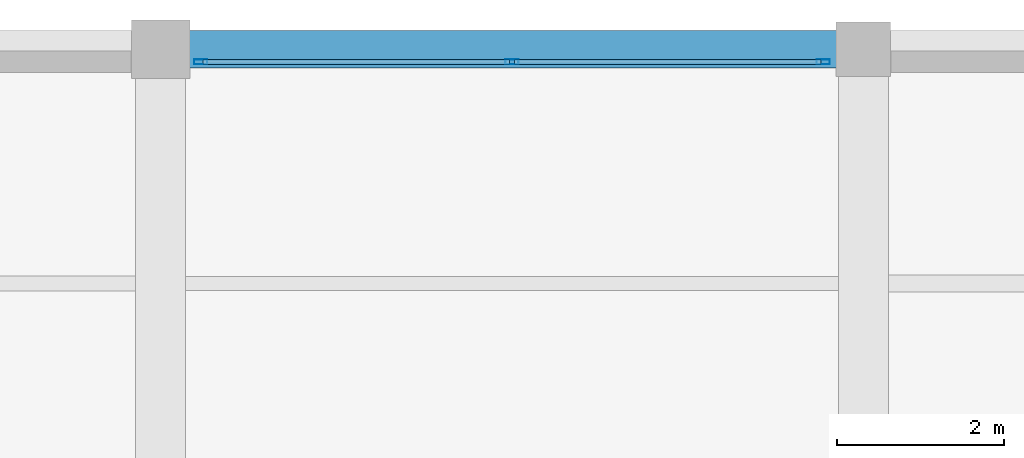
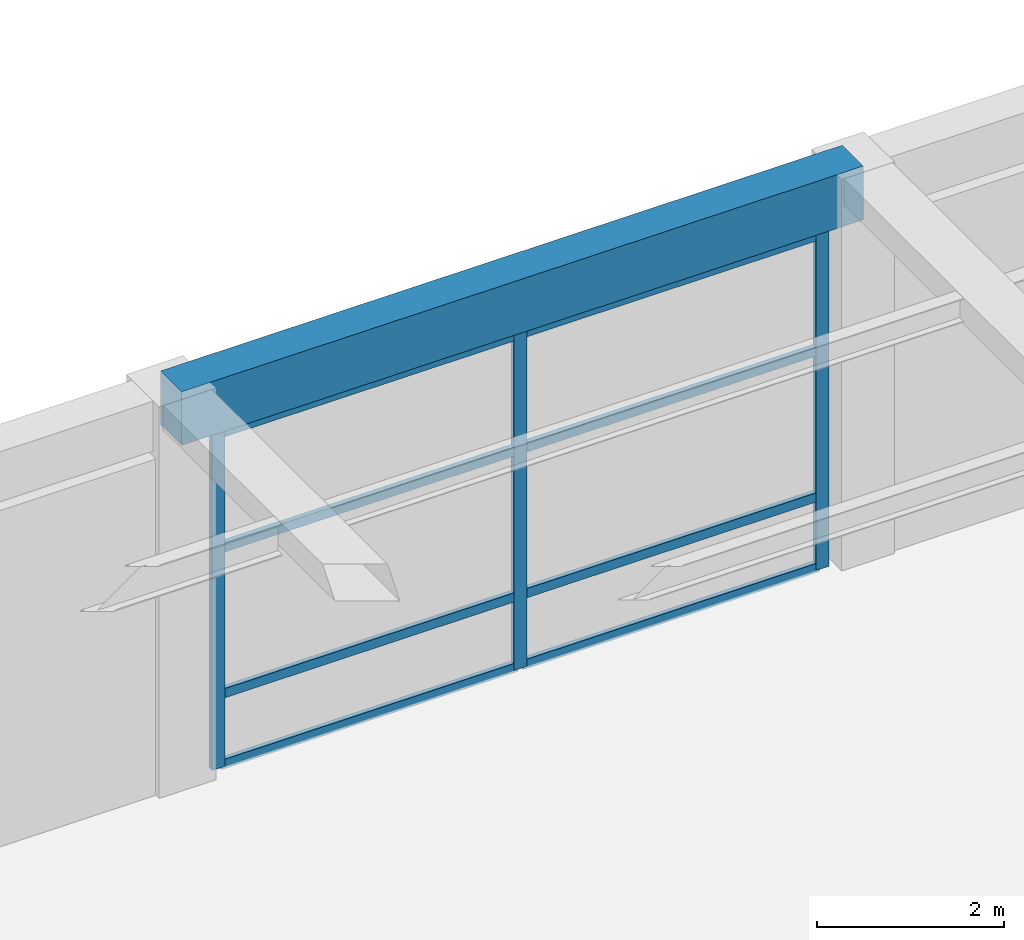
# One storey, part 39 of 95: 11 members, 1 beam, 1 element without a shape of its own.
"""IFC4 building model written with IfcOpenShell, lengths in metres."""

from ifc_helpers import new_model, si_unit, direction, frame, origin, origin_2d, place, context, subcontext, project, spatial, rectangle, hollow_rectangle, extrude, material, material_profile, profile_set, type_object, element, aggregate, save


model = new_model("IFC4")

# Units and contexts
model_context = context("Model", 3, precision=1e-05, world=origin(), true_north=direction((0.0, 1.0)))
body_context = subcontext(model_context, "Body", "Model", "MODEL_VIEW")
ifc_project = project(units=[si_unit("LENGTHUNIT", "METRE"), si_unit("AREAUNIT", "SQUARE_METRE"), si_unit("VOLUMEUNIT", "CUBIC_METRE"), si_unit("PLANEANGLEUNIT", "RADIAN"), si_unit("MASSUNIT", "GRAM", prefix="KILO")], contexts=[model_context])

# Site, building, storey
site_placement = place(None, origin())
site = spatial("IfcSite", under=ifc_project, at=site_placement, CompositionType="ELEMENT")
building_placement = place(site_placement, origin())
building = spatial("IfcBuilding", under=site, at=building_placement, Name="Almacenes y Pasaje Nevantli", CompositionType="ELEMENT")
storey_placement = place(building_placement, frame((0.0, 0.0, 11.39990234375)))
storey = spatial("IfcBuildingStorey", under=building, at=storey_placement, Name="L03", CompositionType="ELEMENT", Elevation=11.39990234375)

# Beam
ifc_material_1 = material(Name="Concrete C35/45", Category="concrete")
ifc_material_profile_1 = material_profile(ifc_material_1, rectangle(XDim=0.449951171875, YDim=0.699951171875, at=origin_2d()), Name="RC-BM-450x700")
ifc_profile_set_1 = profile_set([ifc_material_profile_1], Name="Concrete C35/45")
beam_type = type_object("IfcBeamType", Name="BM-RC-450x700", PredefinedType="SPANDREL", material=ifc_profile_set_1)
beam_placement = place(storey_placement, frame((33.60009765625, 117.60009765625, 4.75), z_axis=(1.0, 0.0, 0.0), x_axis=(0.0, 1.0, 0.0)))
element("IfcBeam", 1, at=beam_placement, inside=storey, type_object=beam_type, Name="L03 East-West Reinforced Concrete Beam #2464", PredefinedType="SPANDREL", context=body_context, shape_type="SweptSolid", body=[
    extrude(rectangle(XDim=0.449951171875, YDim=0.699951171875, at=origin_2d()), origin(), (0.0, 0.0, 1.0), 8.39990234375),
])

# Curtain wall, members
ifc_material_2 = material(Name="Thermally Broken Aluminium and Low-E Glass", Category="aluminium")
curtain_wall_type = type_object("IfcCurtainWallType", Name="CW-STF-BLVD", PredefinedType="USERDEFINED", material=ifc_material_2)
curtain_wall_placement = place(storey_placement, origin())
curtain_wall = element("IfcCurtainWall", 2, at=curtain_wall_placement, inside=storey, type_object=curtain_wall_type, Name="L03 North Boulevard Retail Curtain Wall Bay 5", ObjectType="STOREFRONT GLAZING", PredefinedType="USERDEFINED")
ifc_material_3 = material(Name="Thermally Broken Anodized Aluminium", Category="aluminium")
ifc_material_profile_2 = material_profile(ifc_material_3, hollow_rectangle(XDim=0.06005859375, YDim=0.159912109375, WallThickness=0.00390625, at=origin_2d()), Name="ALU-MUL-60x160")
ifc_profile_set_2 = profile_set([ifc_material_profile_2], Name="Thermally Broken Anodized Aluminium")
member_type_1 = type_object("IfcMemberType", Name="CW-MUL-180", PredefinedType="MULLION", material=ifc_profile_set_2)
member_1_placement = place(storey_placement, frame((34.080078125, 117.449951171875, 0.0), z_axis=(0.0, 0.0, 1.0), x_axis=(0.0, 1.0, 0.0)))
member_1 = element("IfcMember", 3, at=member_1_placement, type_object=member_type_1, Name="CW-L03-036 mullion 1", PredefinedType="MULLION", context=body_context, shape_type="SweptSolid", body=[
    extrude(hollow_rectangle(XDim=0.06005859375, YDim=0.159912109375, WallThickness=0.00390625, at=origin_2d()), origin(), (0.0, 0.0, 1.0), 4.380126953125),
])
member_2_placement = place(storey_placement, frame((37.800048828125, 117.449951171875, 0.0), z_axis=(0.0, 0.0, 1.0), x_axis=(0.0, 1.0, 0.0)))
member_2 = element("IfcMember", 4, at=member_2_placement, type_object=member_type_1, Name="CW-L03-036 mullion 2", PredefinedType="MULLION", context=body_context, shape_type="SweptSolid", body=[
    extrude(hollow_rectangle(XDim=0.06005859375, YDim=0.159912109375, WallThickness=0.00390625, at=origin_2d()), origin(), (0.0, 0.0, 1.0), 4.380126953125),
])
member_3_placement = place(storey_placement, frame((41.52001953125, 117.449951171875, 0.0), z_axis=(0.0, 0.0, 1.0), x_axis=(0.0, 1.0, 0.0)))
member_3 = element("IfcMember", 5, at=member_3_placement, type_object=member_type_1, Name="CW-L03-036 mullion 3", PredefinedType="MULLION", context=body_context, shape_type="SweptSolid", body=[
    extrude(hollow_rectangle(XDim=0.06005859375, YDim=0.159912109375, WallThickness=0.00390625, at=origin_2d()), origin(), (0.0, 0.0, 1.0), 4.380126953125),
])
ifc_material_4 = material(Name="Thermally Broken Anodized Aluminium", Category="aluminium")
ifc_material_profile_3 = material_profile(ifc_material_4, hollow_rectangle(XDim=0.06005859375, YDim=0.1201171875, WallThickness=0.00341796875, at=origin_2d()), Name="ALU-TRN-60x120")
ifc_profile_set_3 = profile_set([ifc_material_profile_3], Name="Thermally Broken Anodized Aluminium")
member_type_2 = type_object("IfcMemberType", Name="CW-TRN-130", PredefinedType="USERDEFINED", material=ifc_profile_set_3)
member_4_placement = place(storey_placement, frame((34.110107421875, 117.449951171875, 0.030029296875), z_axis=(1.0, 0.0, 0.0), x_axis=(0.0, 1.0, 0.0)))
member_4 = element("IfcMember", 6, at=member_4_placement, type_object=member_type_2, Name="CW-L03-036 transom 1.1", ObjectType="TRANSOM", PredefinedType="USERDEFINED", context=body_context, shape_type="SweptSolid", body=[
    extrude(hollow_rectangle(XDim=0.06005859375, YDim=0.1201171875, WallThickness=0.00341796875, at=origin_2d()), origin(), (0.0, 0.0, 1.0), 3.659912109375),
])
member_5_placement = place(storey_placement, frame((34.110107421875, 117.449951171875, 0.9501953125), z_axis=(1.0, 0.0, 0.0), x_axis=(0.0, 1.0, 0.0)))
member_5 = element("IfcMember", 7, at=member_5_placement, type_object=member_type_2, Name="CW-L03-036 transom 1.2", ObjectType="TRANSOM", PredefinedType="USERDEFINED", context=body_context, shape_type="SweptSolid", body=[
    extrude(hollow_rectangle(XDim=0.06005859375, YDim=0.1201171875, WallThickness=0.00341796875, at=origin_2d()), origin(), (0.0, 0.0, 1.0), 3.659912109375),
])
member_6_placement = place(storey_placement, frame((34.110107421875, 117.449951171875, 2.85009765625), z_axis=(1.0, 0.0, 0.0), x_axis=(0.0, 1.0, 0.0)))
member_6 = element("IfcMember", 8, at=member_6_placement, type_object=member_type_2, Name="CW-L03-036 transom 1.3", ObjectType="TRANSOM", PredefinedType="USERDEFINED", context=body_context, shape_type="SweptSolid", body=[
    extrude(hollow_rectangle(XDim=0.06005859375, YDim=0.1201171875, WallThickness=0.00341796875, at=origin_2d()), origin(), (0.0, 0.0, 1.0), 3.659912109375),
])
member_7_placement = place(storey_placement, frame((34.110107421875, 117.449951171875, 4.35009765625), z_axis=(1.0, 0.0, 0.0), x_axis=(0.0, 1.0, 0.0)))
member_7 = element("IfcMember", 9, at=member_7_placement, type_object=member_type_2, Name="CW-L03-036 transom 1.4", ObjectType="TRANSOM", PredefinedType="USERDEFINED", context=body_context, shape_type="SweptSolid", body=[
    extrude(hollow_rectangle(XDim=0.06005859375, YDim=0.1201171875, WallThickness=0.00341796875, at=origin_2d()), origin(), (0.0, 0.0, 1.0), 3.659912109375),
])
member_8_placement = place(storey_placement, frame((37.830078125, 117.449951171875, 0.030029296875), z_axis=(1.0, 0.0, 0.0), x_axis=(0.0, 1.0, 0.0)))
member_8 = element("IfcMember", 10, at=member_8_placement, type_object=member_type_2, Name="CW-L03-036 transom 2.1", ObjectType="TRANSOM", PredefinedType="USERDEFINED", context=body_context, shape_type="SweptSolid", body=[
    extrude(hollow_rectangle(XDim=0.06005859375, YDim=0.1201171875, WallThickness=0.00341796875, at=origin_2d()), origin(), (0.0, 0.0, 1.0), 3.659912109375),
])
member_9_placement = place(storey_placement, frame((37.830078125, 117.449951171875, 0.9501953125), z_axis=(1.0, 0.0, 0.0), x_axis=(0.0, 1.0, 0.0)))
member_9 = element("IfcMember", 11, at=member_9_placement, type_object=member_type_2, Name="CW-L03-036 transom 2.2", ObjectType="TRANSOM", PredefinedType="USERDEFINED", context=body_context, shape_type="SweptSolid", body=[
    extrude(hollow_rectangle(XDim=0.06005859375, YDim=0.1201171875, WallThickness=0.00341796875, at=origin_2d()), origin(), (0.0, 0.0, 1.0), 3.659912109375),
])
member_10_placement = place(storey_placement, frame((37.830078125, 117.449951171875, 2.85009765625), z_axis=(1.0, 0.0, 0.0), x_axis=(0.0, 1.0, 0.0)))
member_10 = element("IfcMember", 12, at=member_10_placement, type_object=member_type_2, Name="CW-L03-036 transom 2.3", ObjectType="TRANSOM", PredefinedType="USERDEFINED", context=body_context, shape_type="SweptSolid", body=[
    extrude(hollow_rectangle(XDim=0.06005859375, YDim=0.1201171875, WallThickness=0.00341796875, at=origin_2d()), origin(), (0.0, 0.0, 1.0), 3.659912109375),
])
member_11_placement = place(storey_placement, frame((37.830078125, 117.449951171875, 4.35009765625), z_axis=(1.0, 0.0, 0.0), x_axis=(0.0, 1.0, 0.0)))
member_11 = element("IfcMember", 13, at=member_11_placement, type_object=member_type_2, Name="CW-L03-036 transom 2.4", ObjectType="TRANSOM", PredefinedType="USERDEFINED", context=body_context, shape_type="SweptSolid", body=[
    extrude(hollow_rectangle(XDim=0.06005859375, YDim=0.1201171875, WallThickness=0.00341796875, at=origin_2d()), origin(), (0.0, 0.0, 1.0), 3.659912109375),
])
aggregate(curtain_wall, [member_1, member_2, member_3, member_4, member_5, member_6, member_7, member_8, member_9, member_10, member_11])

save(model, "model.ifc")
